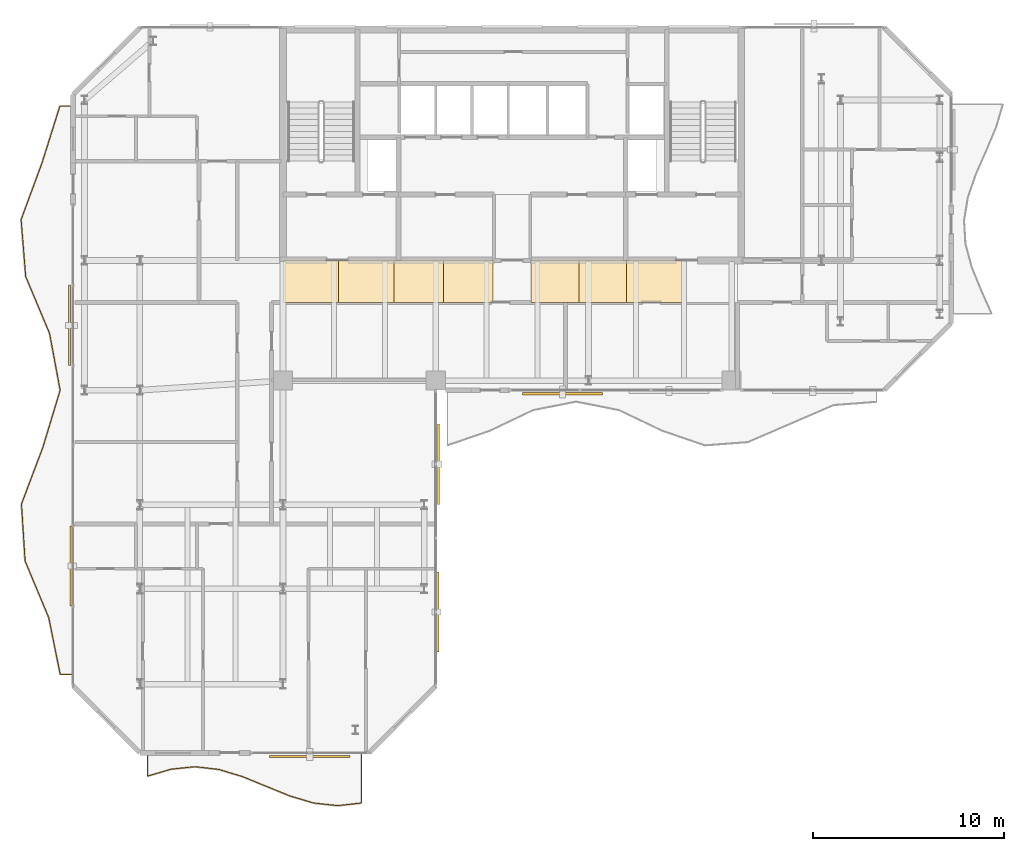
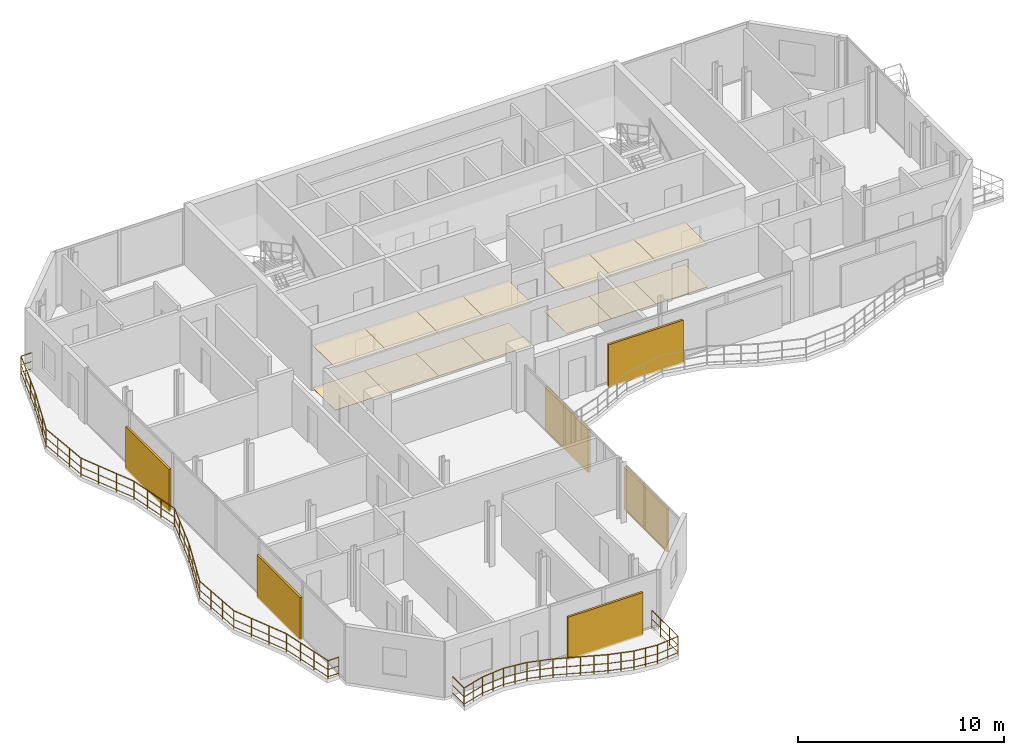
# One storey, part 21 of 23: 14 coverings, 6 shading devices, 2 railings.
"""IFC4 building model written with IfcOpenShell, lengths in metres."""

from ifc_helpers import new_model, si_unit, direction, frame, origin, origin_2d, place, context, subcontext, project, spatial, polyline, rectangle, circle, outline, extrude, material, layer, layer_set, type_object, element, save


model = new_model("IFC4")

# Units and contexts
model_context = context("Model", 3, precision=1e-05, world=origin(), true_north=direction((0.0, 1.0)))
body_context = subcontext(model_context, "Body", "Model", "MODEL_VIEW")
ifc_project = project(units=[si_unit("LENGTHUNIT", "METRE"), si_unit("AREAUNIT", "SQUARE_METRE"), si_unit("VOLUMEUNIT", "CUBIC_METRE"), si_unit("PLANEANGLEUNIT", "RADIAN"), si_unit("MASSUNIT", "GRAM", prefix="KILO")], contexts=[model_context])

# Site, building, storey
site_placement = place(None, origin())
site = spatial("IfcSite", under=ifc_project, at=site_placement, CompositionType="ELEMENT")
building_placement = place(site_placement, origin())
building = spatial("IfcBuilding", under=site, at=building_placement, Name="Catumbela Crestline Tower", CompositionType="ELEMENT")
storey_placement = place(building_placement, frame((0.0, 0.0, 201.0)))
storey = spatial("IfcBuildingStorey", under=building, at=storey_placement, Name="L52", CompositionType="ELEMENT", Elevation=201.0)

# Coverings
ifc_material_1 = material(Name="Mineral-fibre acoustic ceiling")
ifc_layer_1 = layer(ifc_material_1, 0.03, Name="Mineral-fibre acoustic ceiling")
ifc_layer_set_1 = layer_set([ifc_layer_1], Name="Mineral-fibre acoustic ceiling")
covering_type_1 = type_object("IfcCoveringType", Name="CC-AC", PredefinedType="CEILING", material=ifc_layer_set_1)
covering_1_placement = place(storey_placement, frame((0.0, 0.0, 2.52)))
element("IfcCovering", 1, at=covering_1_placement, inside=storey, type_object=covering_type_1, Name="L52 Corridor Acoustic Ceiling Bay 1", PredefinedType="CEILING", context=body_context, shape_type="SweptSolid", body=[
    extrude(outline(polyline([(16.0, 28.6), (18.9, 28.6), (18.9, 30.8), (16.0, 30.8), (16.0, 28.6)])), origin(), (0.0, 0.0, 1.0), 0.03),
])
covering_2_placement = place(storey_placement, frame((0.0, 0.0, 2.52)))
element("IfcCovering", 2, at=covering_2_placement, inside=storey, type_object=covering_type_1, Name="L52 Corridor Acoustic Ceiling Bay 2", PredefinedType="CEILING", context=body_context, shape_type="SweptSolid", body=[
    extrude(outline(polyline([(18.9, 28.6), (21.8, 28.6), (21.8, 30.8), (18.9, 30.8), (18.9, 28.6)])), origin(), (0.0, 0.0, 1.0), 0.03),
])
covering_3_placement = place(storey_placement, frame((0.0, 0.0, 2.52)))
element("IfcCovering", 3, at=covering_3_placement, inside=storey, type_object=covering_type_1, Name="L52 Corridor Acoustic Ceiling Bay 3", PredefinedType="CEILING", context=body_context, shape_type="SweptSolid", body=[
    extrude(outline(polyline([(21.8, 28.6), (24.4, 28.6), (24.4, 30.8), (21.8, 30.8), (21.8, 28.6)])), origin(), (0.0, 0.0, 1.0), 0.03),
])
covering_4_placement = place(storey_placement, frame((0.0, 0.0, 2.52)))
element("IfcCovering", 4, at=covering_4_placement, inside=storey, type_object=covering_type_1, Name="L52 Corridor Acoustic Ceiling Bay 4", PredefinedType="CEILING", context=body_context, shape_type="SweptSolid", body=[
    extrude(outline(polyline([(24.4, 28.6), (27.0, 28.6), (27.0, 30.8), (24.4, 30.8), (24.4, 28.6)])), origin(), (0.0, 0.0, 1.0), 0.03),
])
covering_5_placement = place(storey_placement, frame((0.0, 0.0, 2.52)))
element("IfcCovering", 5, at=covering_5_placement, inside=storey, type_object=covering_type_1, Name="L52 Corridor Acoustic Ceiling Bay 5", PredefinedType="CEILING", context=body_context, shape_type="SweptSolid", body=[
    extrude(outline(polyline([(29.0, 28.6), (31.5, 28.6), (31.5, 30.8), (29.0, 30.8), (29.0, 28.6)])), origin(), (0.0, 0.0, 1.0), 0.03),
])
covering_6_placement = place(storey_placement, frame((0.0, 0.0, 2.52)))
element("IfcCovering", 6, at=covering_6_placement, inside=storey, type_object=covering_type_1, Name="L52 Corridor Acoustic Ceiling Bay 6", PredefinedType="CEILING", context=body_context, shape_type="SweptSolid", body=[
    extrude(outline(polyline([(31.5, 28.6), (34.0, 28.6), (34.0, 30.8), (31.5, 30.8), (31.5, 28.6)])), origin(), (0.0, 0.0, 1.0), 0.03),
])
covering_7_placement = place(storey_placement, frame((0.0, 0.0, 2.52)))
element("IfcCovering", 7, at=covering_7_placement, inside=storey, type_object=covering_type_1, Name="L52 Corridor Acoustic Ceiling Bay 7", PredefinedType="CEILING", context=body_context, shape_type="SweptSolid", body=[
    extrude(outline(polyline([(34.0, 28.6), (36.9, 28.6), (36.9, 30.8), (34.0, 30.8), (34.0, 28.6)])), origin(), (0.0, 0.0, 1.0), 0.03),
])
ifc_material_2 = material(Name="Angolan grey-ochre granite", Category="masonry")
ifc_layer_2 = layer(ifc_material_2, 0.025, Name="Angolan grey-ochre granite")
ifc_layer_set_2 = layer_set([ifc_layer_2], Name="Angolan grey-ochre granite")
covering_type_2 = type_object("IfcCoveringType", Name="CF-GR", PredefinedType="FLOORING", material=ifc_layer_set_2)
covering_8_placement = place(storey_placement, origin())
element("IfcCovering", 8, at=covering_8_placement, inside=storey, type_object=covering_type_2, Name="L52 Corridor Granite Flooring Bay 1", PredefinedType="FLOORING", context=body_context, shape_type="SweptSolid", body=[
    extrude(outline(polyline([(16.0, 28.6), (18.9, 28.6), (18.9, 30.8), (16.0, 30.8), (16.0, 28.6)])), origin(), (0.0, 0.0, 1.0), 0.025),
])
covering_9_placement = place(storey_placement, origin())
element("IfcCovering", 9, at=covering_9_placement, inside=storey, type_object=covering_type_2, Name="L52 Corridor Granite Flooring Bay 2", PredefinedType="FLOORING", context=body_context, shape_type="SweptSolid", body=[
    extrude(outline(polyline([(18.9, 28.6), (21.8, 28.6), (21.8, 30.8), (18.9, 30.8), (18.9, 28.6)])), origin(), (0.0, 0.0, 1.0), 0.025),
])
covering_10_placement = place(storey_placement, origin())
element("IfcCovering", 10, at=covering_10_placement, inside=storey, type_object=covering_type_2, Name="L52 Corridor Granite Flooring Bay 3", PredefinedType="FLOORING", context=body_context, shape_type="SweptSolid", body=[
    extrude(outline(polyline([(21.8, 28.6), (24.4, 28.6), (24.4, 30.8), (21.8, 30.8), (21.8, 28.6)])), origin(), (0.0, 0.0, 1.0), 0.025),
])
covering_11_placement = place(storey_placement, origin())
element("IfcCovering", 11, at=covering_11_placement, inside=storey, type_object=covering_type_2, Name="L52 Corridor Granite Flooring Bay 4", PredefinedType="FLOORING", context=body_context, shape_type="SweptSolid", body=[
    extrude(outline(polyline([(24.4, 28.6), (27.0, 28.6), (27.0, 30.8), (24.4, 30.8), (24.4, 28.6)])), origin(), (0.0, 0.0, 1.0), 0.025),
])
covering_12_placement = place(storey_placement, origin())
element("IfcCovering", 12, at=covering_12_placement, inside=storey, type_object=covering_type_2, Name="L52 Corridor Granite Flooring Bay 5", PredefinedType="FLOORING", context=body_context, shape_type="SweptSolid", body=[
    extrude(outline(polyline([(29.0, 28.6), (31.5, 28.6), (31.5, 30.8), (29.0, 30.8), (29.0, 28.6)])), origin(), (0.0, 0.0, 1.0), 0.025),
])
covering_13_placement = place(storey_placement, origin())
element("IfcCovering", 13, at=covering_13_placement, inside=storey, type_object=covering_type_2, Name="L52 Corridor Granite Flooring Bay 6", PredefinedType="FLOORING", context=body_context, shape_type="SweptSolid", body=[
    extrude(outline(polyline([(31.5, 28.6), (34.0, 28.6), (34.0, 30.8), (31.5, 30.8), (31.5, 28.6)])), origin(), (0.0, 0.0, 1.0), 0.025),
])
covering_14_placement = place(storey_placement, origin())
element("IfcCovering", 14, at=covering_14_placement, inside=storey, type_object=covering_type_2, Name="L52 Corridor Granite Flooring Bay 7", PredefinedType="FLOORING", context=body_context, shape_type="SweptSolid", body=[
    extrude(outline(polyline([(34.0, 28.6), (36.9, 28.6), (36.9, 30.8), (34.0, 30.8), (34.0, 28.6)])), origin(), (0.0, 0.0, 1.0), 0.025),
])

# Railings
ifc_material_3 = material(Name="Stainless steel EN 1.4401", Category="steel")
railing_type = type_object("IfcRailingType", Name="RB-1100", PredefinedType="BALUSTRADE", material=ifc_material_3)
railing_1_placement = place(storey_placement, frame((8.9, 4.94, 0.0)))
element("IfcRailing", 15, at=railing_1_placement, inside=storey, type_object=railing_type, Name="L52 Private Wave Balcony Balustrade 3", PredefinedType="BALUSTRADE", context=body_context, shape_type="SweptSolid", body=[
    extrude(circle(Radius=0.024, at=origin_2d()), frame((0.0, 0.0, 1.076), z_axis=(0.0, -1.0, 0.0), x_axis=(1.0, 0.0, 0.0)), (0.0, 0.0, 1.0), 1.1526),
    extrude(circle(Radius=0.0156, at=origin_2d()), frame((0.0, 0.0, 0.55), z_axis=(0.0, -1.0, 0.0), x_axis=(1.0, 0.0, 0.0)), (0.0, 0.0, 1.0), 1.1526),
    extrude(circle(Radius=0.0156, at=origin_2d()), frame((0.0, 0.0, 0.12), z_axis=(0.0, -1.0, 0.0), x_axis=(1.0, 0.0, 0.0)), (0.0, 0.0, 1.0), 1.1526),
    extrude(circle(Radius=0.024, at=origin_2d()), frame((0.0, -1.1526, 1.076), z_axis=(0.959636438808, 0.281243498259, 0.0), x_axis=(-0.281243498259, 0.959636438808, 0.0)), (0.0, 0.0, 1.0), 1.2967),
    extrude(circle(Radius=0.0156, at=origin_2d()), frame((0.0, -1.1526, 0.55), z_axis=(0.959636438808, 0.281243498259, 0.0), x_axis=(-0.281243498259, 0.959636438808, 0.0)), (0.0, 0.0, 1.0), 1.2967),
    extrude(circle(Radius=0.0156, at=origin_2d()), frame((0.0, -1.1526, 0.12), z_axis=(0.959636438808, 0.281243498259, 0.0), x_axis=(-0.281243498259, 0.959636438808, 0.0)), (0.0, 0.0, 1.0), 1.2967),
    extrude(circle(Radius=0.024, at=origin_2d()), frame((1.2444, -0.7879, 1.076), z_axis=(0.99476853318, 0.102154615139, 0.0), x_axis=(-0.102154615139, 0.99476853318, 0.0)), (0.0, 0.0, 1.0), 1.251),
    extrude(circle(Radius=0.0156, at=origin_2d()), frame((1.2444, -0.7879, 0.55), z_axis=(0.99476853318, 0.102154615139, 0.0), x_axis=(-0.102154615139, 0.99476853318, 0.0)), (0.0, 0.0, 1.0), 1.251),
    extrude(circle(Radius=0.0156, at=origin_2d()), frame((1.2444, -0.7879, 0.12), z_axis=(0.99476853318, 0.102154615139, 0.0), x_axis=(-0.102154615139, 0.99476853318, 0.0)), (0.0, 0.0, 1.0), 1.251),
    extrude(circle(Radius=0.024, at=origin_2d()), frame((2.4889, -0.6601, 1.076), z_axis=(0.993452916822, -0.114242295401, 0.0), x_axis=(0.114242295401, 0.993452916822, 0.0)), (0.0, 0.0, 1.0), 1.2526),
    extrude(circle(Radius=0.0156, at=origin_2d()), frame((2.4889, -0.6601, 0.55), z_axis=(0.993452916822, -0.114242295401, 0.0), x_axis=(0.114242295401, 0.993452916822, 0.0)), (0.0, 0.0, 1.0), 1.2526),
    extrude(circle(Radius=0.0156, at=origin_2d()), frame((2.4889, -0.6601, 0.12), z_axis=(0.993452916822, -0.114242295401, 0.0), x_axis=(0.114242295401, 0.993452916822, 0.0)), (0.0, 0.0, 1.0), 1.2526),
    extrude(circle(Radius=0.024, at=origin_2d()), frame((3.7333, -0.8032, 1.076), z_axis=(0.95724214329, -0.289287882757, 0.0), x_axis=(0.289287882757, 0.95724214329, 0.0)), (0.0, 0.0, 1.0), 1.3001),
    extrude(circle(Radius=0.0156, at=origin_2d()), frame((3.7333, -0.8032, 0.55), z_axis=(0.95724214329, -0.289287882757, 0.0), x_axis=(0.289287882757, 0.95724214329, 0.0)), (0.0, 0.0, 1.0), 1.3001),
    extrude(circle(Radius=0.0156, at=origin_2d()), frame((3.7333, -0.8032, 0.12), z_axis=(0.95724214329, -0.289287882757, 0.0), x_axis=(0.289287882757, 0.95724214329, 0.0)), (0.0, 0.0, 1.0), 1.3001),
    extrude(circle(Radius=0.024, at=origin_2d()), frame((4.9778, -1.1793, 1.076), z_axis=(0.925565911687, -0.378586506789, 0.0), x_axis=(0.378586506789, 0.925565911687, 0.0)), (0.0, 0.0, 1.0), 1.3445),
    extrude(circle(Radius=0.0156, at=origin_2d()), frame((4.9778, -1.1793, 0.55), z_axis=(0.925565911687, -0.378586506789, 0.0), x_axis=(0.378586506789, 0.925565911687, 0.0)), (0.0, 0.0, 1.0), 1.3445),
    extrude(circle(Radius=0.0156, at=origin_2d()), frame((4.9778, -1.1793, 0.12), z_axis=(0.925565911687, -0.378586506789, 0.0), x_axis=(0.378586506789, 0.925565911687, 0.0)), (0.0, 0.0, 1.0), 1.3445),
    extrude(circle(Radius=0.024, at=origin_2d()), frame((6.2222, -1.6883, 1.076), z_axis=(0.926149170652, -0.377157412364, 0.0), x_axis=(0.377157412364, 0.926149170652, 0.0)), (0.0, 0.0, 1.0), 1.3437),
    extrude(circle(Radius=0.0156, at=origin_2d()), frame((6.2222, -1.6883, 0.55), z_axis=(0.926149170652, -0.377157412364, 0.0), x_axis=(0.377157412364, 0.926149170652, 0.0)), (0.0, 0.0, 1.0), 1.3437),
    extrude(circle(Radius=0.0156, at=origin_2d()), frame((6.2222, -1.6883, 0.12), z_axis=(0.926149170652, -0.377157412364, 0.0), x_axis=(0.377157412364, 0.926149170652, 0.0)), (0.0, 0.0, 1.0), 1.3437),
    extrude(circle(Radius=0.024, at=origin_2d()), frame((7.4667, -2.1951, 1.076), z_axis=(0.958527257268, -0.285000872058, 0.0), x_axis=(0.285000872058, 0.958527257268, 0.0)), (0.0, 0.0, 1.0), 1.2982),
    extrude(circle(Radius=0.0156, at=origin_2d()), frame((7.4667, -2.1951, 0.55), z_axis=(0.958527257268, -0.285000872058, 0.0), x_axis=(0.285000872058, 0.958527257268, 0.0)), (0.0, 0.0, 1.0), 1.2982),
    extrude(circle(Radius=0.0156, at=origin_2d()), frame((7.4667, -2.1951, 0.12), z_axis=(0.958527257268, -0.285000872058, 0.0), x_axis=(0.285000872058, 0.958527257268, 0.0)), (0.0, 0.0, 1.0), 1.2982),
    extrude(circle(Radius=0.024, at=origin_2d()), frame((8.7111, -2.5651, 1.076), z_axis=(0.994176321749, -0.107765677625, 0.0), x_axis=(0.107765677625, 0.994176321749, 0.0)), (0.0, 0.0, 1.0), 1.2518),
    extrude(circle(Radius=0.0156, at=origin_2d()), frame((8.7111, -2.5651, 0.55), z_axis=(0.994176321749, -0.107765677625, 0.0), x_axis=(0.107765677625, 0.994176321749, 0.0)), (0.0, 0.0, 1.0), 1.2518),
    extrude(circle(Radius=0.0156, at=origin_2d()), frame((8.7111, -2.5651, 0.12), z_axis=(0.994176321749, -0.107765677625, 0.0), x_axis=(0.107765677625, 0.994176321749, 0.0)), (0.0, 0.0, 1.0), 1.2518),
    extrude(circle(Radius=0.024, at=origin_2d()), frame((9.9556, -2.7, 1.076), z_axis=(0.994072231366, 0.108721657577, 0.0), x_axis=(-0.108721657577, 0.994072231366, 0.0)), (0.0, 0.0, 1.0), 1.2518),
    extrude(circle(Radius=0.0156, at=origin_2d()), frame((9.9556, -2.7, 0.55), z_axis=(0.994072231366, 0.108721657577, 0.0), x_axis=(-0.108721657577, 0.994072231366, 0.0)), (0.0, 0.0, 1.0), 1.2518),
    extrude(circle(Radius=0.0156, at=origin_2d()), frame((9.9556, -2.7, 0.12), z_axis=(0.994072231366, 0.108721657577, 0.0), x_axis=(-0.108721657577, 0.994072231366, 0.0)), (0.0, 0.0, 1.0), 1.2518),
    extrude(circle(Radius=0.024, at=origin_2d()), frame((11.2, -2.5639, 1.076), z_axis=(0.0, 1.0, 0.0), x_axis=(-1.0, 0.0, 0.0)), (0.0, 0.0, 1.0), 2.5639),
    extrude(circle(Radius=0.0156, at=origin_2d()), frame((11.2, -2.5639, 0.55), z_axis=(0.0, 1.0, 0.0), x_axis=(-1.0, 0.0, 0.0)), (0.0, 0.0, 1.0), 2.5639),
    extrude(circle(Radius=0.0156, at=origin_2d()), frame((11.2, -2.5639, 0.12), z_axis=(0.0, 1.0, 0.0), x_axis=(-1.0, 0.0, 0.0)), (0.0, 0.0, 1.0), 2.5639),
    extrude(circle(Radius=0.021, at=origin_2d()), origin(), (0.0, 0.0, 1.0), 1.052),
    extrude(circle(Radius=0.021, at=origin_2d()), frame((0.0, -1.1526, 0.0)), (0.0, 0.0, 1.0), 1.052),
    extrude(circle(Radius=0.021, at=origin_2d()), frame((0.6222, -0.9703, 0.0)), (0.0, 0.0, 1.0), 1.052),
    extrude(circle(Radius=0.021, at=origin_2d()), frame((1.2444, -0.7879, 0.0)), (0.0, 0.0, 1.0), 1.052),
    extrude(circle(Radius=0.021, at=origin_2d()), frame((1.8666, -0.724, 0.0)), (0.0, 0.0, 1.0), 1.052),
    extrude(circle(Radius=0.021, at=origin_2d()), frame((2.4889, -0.6601, 0.0)), (0.0, 0.0, 1.0), 1.052),
    extrude(circle(Radius=0.021, at=origin_2d()), frame((3.1111, -0.7317, 0.0)), (0.0, 0.0, 1.0), 1.052),
    extrude(circle(Radius=0.021, at=origin_2d()), frame((3.7333, -0.8032, 0.0)), (0.0, 0.0, 1.0), 1.052),
    extrude(circle(Radius=0.021, at=origin_2d()), frame((4.3556, -0.9913, 0.0)), (0.0, 0.0, 1.0), 1.052),
    extrude(circle(Radius=0.021, at=origin_2d()), frame((4.9778, -1.1793, 0.0)), (0.0, 0.0, 1.0), 1.052),
    extrude(circle(Radius=0.021, at=origin_2d()), frame((5.6, -1.4338, 0.0)), (0.0, 0.0, 1.0), 1.052),
    extrude(circle(Radius=0.021, at=origin_2d()), frame((6.2222, -1.6883, 0.0)), (0.0, 0.0, 1.0), 1.052),
    extrude(circle(Radius=0.021, at=origin_2d()), frame((6.8444, -1.9417, 0.0)), (0.0, 0.0, 1.0), 1.052),
    extrude(circle(Radius=0.021, at=origin_2d()), frame((7.4667, -2.1951, 0.0)), (0.0, 0.0, 1.0), 1.052),
    extrude(circle(Radius=0.021, at=origin_2d()), frame((8.0889, -2.3801, 0.0)), (0.0, 0.0, 1.0), 1.052),
    extrude(circle(Radius=0.021, at=origin_2d()), frame((8.7111, -2.5651, 0.0)), (0.0, 0.0, 1.0), 1.052),
    extrude(circle(Radius=0.021, at=origin_2d()), frame((9.3334, -2.6326, 0.0)), (0.0, 0.0, 1.0), 1.052),
    extrude(circle(Radius=0.021, at=origin_2d()), frame((9.9556, -2.7, 0.0)), (0.0, 0.0, 1.0), 1.052),
    extrude(circle(Radius=0.021, at=origin_2d()), frame((10.5778, -2.632, 0.0)), (0.0, 0.0, 1.0), 1.052),
    extrude(circle(Radius=0.021, at=origin_2d()), frame((11.2, -2.5639, 0.0)), (0.0, 0.0, 1.0), 1.052),
    extrude(circle(Radius=0.021, at=origin_2d()), frame((11.2, -1.7093, 0.0)), (0.0, 0.0, 1.0), 1.052),
    extrude(circle(Radius=0.021, at=origin_2d()), frame((11.2, -0.8546, 0.0)), (0.0, 0.0, 1.0), 1.052),
    extrude(circle(Radius=0.021, at=origin_2d()), frame((11.2, 0.0, 0.0)), (0.0, 0.0, 1.0), 1.052),
])
railing_2_placement = place(storey_placement, frame((4.94, 38.9, 0.0)))
element("IfcRailing", 16, at=railing_2_placement, inside=storey, type_object=railing_type, Name="L52 Private Wave Balcony Balustrade 4", PredefinedType="BALUSTRADE", context=body_context, shape_type="SweptSolid", body=[
    extrude(circle(Radius=0.024, at=origin_2d()), frame((0.0, 0.0, 1.076), z_axis=(-1.0, 0.0, 0.0), x_axis=(0.0, -1.0, 0.0)), (0.0, 0.0, 1.0), 0.624),
    extrude(circle(Radius=0.0156, at=origin_2d()), frame((0.0, 0.0, 0.55), z_axis=(-1.0, 0.0, 0.0), x_axis=(0.0, -1.0, 0.0)), (0.0, 0.0, 1.0), 0.624),
    extrude(circle(Radius=0.0156, at=origin_2d()), frame((0.0, 0.0, 0.12), z_axis=(-1.0, 0.0, 0.0), x_axis=(0.0, -1.0, 0.0)), (0.0, 0.0, 1.0), 0.624),
    extrude(circle(Radius=0.024, at=origin_2d()), frame((-0.624, 0.0, 1.076), z_axis=(-0.299660095315, -0.954046029956, 0.0), x_axis=(0.954046029956, -0.299660095315, 0.0)), (0.0, 0.0, 1.0), 3.1235),
    extrude(circle(Radius=0.0156, at=origin_2d()), frame((-0.624, 0.0, 0.55), z_axis=(-0.299660095315, -0.954046029956, 0.0), x_axis=(0.954046029956, -0.299660095315, 0.0)), (0.0, 0.0, 1.0), 3.1235),
    extrude(circle(Radius=0.0156, at=origin_2d()), frame((-0.624, 0.0, 0.12), z_axis=(-0.299660095315, -0.954046029956, 0.0), x_axis=(0.954046029956, -0.299660095315, 0.0)), (0.0, 0.0, 1.0), 3.1235),
    extrude(circle(Radius=0.024, at=origin_2d()), frame((-1.56, -2.98, 1.076), z_axis=(-0.346261132373, -0.938138171171, 0.0), x_axis=(0.938138171171, -0.346261132373, 0.0)), (0.0, 0.0, 1.0), 3.1765),
    extrude(circle(Radius=0.0156, at=origin_2d()), frame((-1.56, -2.98, 0.55), z_axis=(-0.346261132373, -0.938138171171, 0.0), x_axis=(0.938138171171, -0.346261132373, 0.0)), (0.0, 0.0, 1.0), 3.1765),
    extrude(circle(Radius=0.0156, at=origin_2d()), frame((-1.56, -2.98, 0.12), z_axis=(-0.346261132373, -0.938138171171, 0.0), x_axis=(0.938138171171, -0.346261132373, 0.0)), (0.0, 0.0, 1.0), 3.1765),
    extrude(circle(Radius=0.024, at=origin_2d()), frame((-2.6599, -5.96, 1.076), z_axis=(0.079844933458, -0.996807296623, 0.0), x_axis=(0.996807296623, 0.079844933458, 0.0)), (0.0, 0.0, 1.0), 2.9895),
    extrude(circle(Radius=0.0156, at=origin_2d()), frame((-2.6599, -5.96, 0.55), z_axis=(0.079844933458, -0.996807296623, 0.0), x_axis=(0.996807296623, 0.079844933458, 0.0)), (0.0, 0.0, 1.0), 2.9895),
    extrude(circle(Radius=0.0156, at=origin_2d()), frame((-2.6599, -5.96, 0.12), z_axis=(0.079844933458, -0.996807296623, 0.0), x_axis=(0.996807296623, 0.079844933458, 0.0)), (0.0, 0.0, 1.0), 2.9895),
    extrude(circle(Radius=0.024, at=origin_2d()), frame((-2.4212, -8.94, 1.076), z_axis=(0.387127277892, -0.922026285261, 0.0), x_axis=(0.922026285261, 0.387127277892, 0.0)), (0.0, 0.0, 1.0), 3.232),
    extrude(circle(Radius=0.0156, at=origin_2d()), frame((-2.4212, -8.94, 0.55), z_axis=(0.387127277892, -0.922026285261, 0.0), x_axis=(0.922026285261, 0.387127277892, 0.0)), (0.0, 0.0, 1.0), 3.232),
    extrude(circle(Radius=0.0156, at=origin_2d()), frame((-2.4212, -8.94, 0.12), z_axis=(0.387127277892, -0.922026285261, 0.0), x_axis=(0.922026285261, 0.387127277892, 0.0)), (0.0, 0.0, 1.0), 3.232),
    extrude(circle(Radius=0.024, at=origin_2d()), frame((-1.17, -11.92, 1.076), z_axis=(0.182965757166, -0.98311928661, 0.0), x_axis=(0.98311928661, 0.182965757166, 0.0)), (0.0, 0.0, 1.0), 3.0312),
    extrude(circle(Radius=0.0156, at=origin_2d()), frame((-1.17, -11.92, 0.55), z_axis=(0.182965757166, -0.98311928661, 0.0), x_axis=(0.98311928661, 0.182965757166, 0.0)), (0.0, 0.0, 1.0), 3.0312),
    extrude(circle(Radius=0.0156, at=origin_2d()), frame((-1.17, -11.92, 0.12), z_axis=(0.182965757166, -0.98311928661, 0.0), x_axis=(0.98311928661, 0.182965757166, 0.0)), (0.0, 0.0, 1.0), 3.0312),
    extrude(circle(Radius=0.024, at=origin_2d()), frame((-0.6154, -14.9, 1.076), z_axis=(-0.28905680833, -0.957311945793, 0.0), x_axis=(0.957311945793, -0.28905680833, 0.0)), (0.0, 0.0, 1.0), 3.1129),
    extrude(circle(Radius=0.0156, at=origin_2d()), frame((-0.6154, -14.9, 0.55), z_axis=(-0.28905680833, -0.957311945793, 0.0), x_axis=(0.957311945793, -0.28905680833, 0.0)), (0.0, 0.0, 1.0), 3.1129),
    extrude(circle(Radius=0.0156, at=origin_2d()), frame((-0.6154, -14.9, 0.12), z_axis=(-0.28905680833, -0.957311945793, 0.0), x_axis=(0.957311945793, -0.28905680833, 0.0)), (0.0, 0.0, 1.0), 3.1129),
    extrude(circle(Radius=0.024, at=origin_2d()), frame((-1.5152, -17.88, 1.076), z_axis=(-0.35315939818, -0.935563167016, 0.0), x_axis=(0.935563167016, -0.35315939818, 0.0)), (0.0, 0.0, 1.0), 3.1852),
    extrude(circle(Radius=0.0156, at=origin_2d()), frame((-1.5152, -17.88, 0.55), z_axis=(-0.35315939818, -0.935563167016, 0.0), x_axis=(0.935563167016, -0.35315939818, 0.0)), (0.0, 0.0, 1.0), 3.1852),
    extrude(circle(Radius=0.0156, at=origin_2d()), frame((-1.5152, -17.88, 0.12), z_axis=(-0.35315939818, -0.935563167016, 0.0), x_axis=(0.935563167016, -0.35315939818, 0.0)), (0.0, 0.0, 1.0), 3.1852),
    extrude(circle(Radius=0.024, at=origin_2d()), frame((-2.6401, -20.86, 1.076), z_axis=(0.062495049702, -0.998045273904, 0.0), x_axis=(0.998045273904, 0.062495049702, 0.0)), (0.0, 0.0, 1.0), 2.9858),
    extrude(circle(Radius=0.0156, at=origin_2d()), frame((-2.6401, -20.86, 0.55), z_axis=(0.062495049702, -0.998045273904, 0.0), x_axis=(0.998045273904, 0.062495049702, 0.0)), (0.0, 0.0, 1.0), 2.9858),
    extrude(circle(Radius=0.0156, at=origin_2d()), frame((-2.6401, -20.86, 0.12), z_axis=(0.062495049702, -0.998045273904, 0.0), x_axis=(0.998045273904, 0.062495049702, 0.0)), (0.0, 0.0, 1.0), 2.9858),
    extrude(circle(Radius=0.024, at=origin_2d()), frame((-2.4535, -23.84, 1.076), z_axis=(0.385019974445, -0.922908239902, 0.0), x_axis=(0.922908239902, 0.385019974445, 0.0)), (0.0, 0.0, 1.0), 3.2289),
    extrude(circle(Radius=0.0156, at=origin_2d()), frame((-2.4535, -23.84, 0.55), z_axis=(0.385019974445, -0.922908239902, 0.0), x_axis=(0.922908239902, 0.385019974445, 0.0)), (0.0, 0.0, 1.0), 3.2289),
    extrude(circle(Radius=0.0156, at=origin_2d()), frame((-2.4535, -23.84, 0.12), z_axis=(0.385019974445, -0.922908239902, 0.0), x_axis=(0.922908239902, 0.385019974445, 0.0)), (0.0, 0.0, 1.0), 3.2289),
    extrude(circle(Radius=0.024, at=origin_2d()), frame((-1.2103, -26.82, 1.076), z_axis=(0.197855395361, -0.98023121891, 0.0), x_axis=(0.98023121891, 0.197855395361, 0.0)), (0.0, 0.0, 1.0), 3.0401),
    extrude(circle(Radius=0.0156, at=origin_2d()), frame((-1.2103, -26.82, 0.55), z_axis=(0.197855395361, -0.98023121891, 0.0), x_axis=(0.98023121891, 0.197855395361, 0.0)), (0.0, 0.0, 1.0), 3.0401),
    extrude(circle(Radius=0.0156, at=origin_2d()), frame((-1.2103, -26.82, 0.12), z_axis=(0.197855395361, -0.98023121891, 0.0), x_axis=(0.98023121891, 0.197855395361, 0.0)), (0.0, 0.0, 1.0), 3.0401),
    extrude(circle(Radius=0.024, at=origin_2d()), frame((-0.6088, -29.8, 1.076), z_axis=(1.0, 0.0, 0.0), x_axis=(0.0, 1.0, 0.0)), (0.0, 0.0, 1.0), 0.6088),
    extrude(circle(Radius=0.0156, at=origin_2d()), frame((-0.6088, -29.8, 0.55), z_axis=(1.0, 0.0, 0.0), x_axis=(0.0, 1.0, 0.0)), (0.0, 0.0, 1.0), 0.6088),
    extrude(circle(Radius=0.0156, at=origin_2d()), frame((-0.6088, -29.8, 0.12), z_axis=(1.0, 0.0, 0.0), x_axis=(0.0, 1.0, 0.0)), (0.0, 0.0, 1.0), 0.6088),
    extrude(circle(Radius=0.021, at=origin_2d()), origin(), (0.0, 0.0, 1.0), 1.052),
    extrude(circle(Radius=0.021, at=origin_2d()), frame((-0.624, 0.0, 0.0)), (0.0, 0.0, 1.0), 1.052),
    extrude(circle(Radius=0.021, at=origin_2d()), frame((-0.936, -0.9933, 0.0)), (0.0, 0.0, 1.0), 1.052),
    extrude(circle(Radius=0.021, at=origin_2d()), frame((-1.248, -1.9867, 0.0)), (0.0, 0.0, 1.0), 1.052),
    extrude(circle(Radius=0.021, at=origin_2d()), frame((-1.56, -2.98, 0.0)), (0.0, 0.0, 1.0), 1.052),
    extrude(circle(Radius=0.021, at=origin_2d()), frame((-1.9266, -3.9733, 0.0)), (0.0, 0.0, 1.0), 1.052),
    extrude(circle(Radius=0.021, at=origin_2d()), frame((-2.2933, -4.9667, 0.0)), (0.0, 0.0, 1.0), 1.052),
    extrude(circle(Radius=0.021, at=origin_2d()), frame((-2.6599, -5.96, 0.0)), (0.0, 0.0, 1.0), 1.052),
    extrude(circle(Radius=0.021, at=origin_2d()), frame((-2.5803, -6.9533, 0.0)), (0.0, 0.0, 1.0), 1.052),
    extrude(circle(Radius=0.021, at=origin_2d()), frame((-2.5008, -7.9467, 0.0)), (0.0, 0.0, 1.0), 1.052),
    extrude(circle(Radius=0.021, at=origin_2d()), frame((-2.4212, -8.94, 0.0)), (0.0, 0.0, 1.0), 1.052),
    extrude(circle(Radius=0.021, at=origin_2d()), frame((-2.0041, -9.9333, 0.0)), (0.0, 0.0, 1.0), 1.052),
    extrude(circle(Radius=0.021, at=origin_2d()), frame((-1.5871, -10.9267, 0.0)), (0.0, 0.0, 1.0), 1.052),
    extrude(circle(Radius=0.021, at=origin_2d()), frame((-1.17, -11.92, 0.0)), (0.0, 0.0, 1.0), 1.052),
    extrude(circle(Radius=0.021, at=origin_2d()), frame((-0.9851, -12.9133, 0.0)), (0.0, 0.0, 1.0), 1.052),
    extrude(circle(Radius=0.021, at=origin_2d()), frame((-0.8003, -13.9067, 0.0)), (0.0, 0.0, 1.0), 1.052),
    extrude(circle(Radius=0.021, at=origin_2d()), frame((-0.6154, -14.9, 0.0)), (0.0, 0.0, 1.0), 1.052),
    extrude(circle(Radius=0.021, at=origin_2d()), frame((-0.9153, -15.8933, 0.0)), (0.0, 0.0, 1.0), 1.052),
    extrude(circle(Radius=0.021, at=origin_2d()), frame((-1.2153, -16.8867, 0.0)), (0.0, 0.0, 1.0), 1.052),
    extrude(circle(Radius=0.021, at=origin_2d()), frame((-1.5152, -17.88, 0.0)), (0.0, 0.0, 1.0), 1.052),
    extrude(circle(Radius=0.021, at=origin_2d()), frame((-1.8902, -18.8733, 0.0)), (0.0, 0.0, 1.0), 1.052),
    extrude(circle(Radius=0.021, at=origin_2d()), frame((-2.2651, -19.8667, 0.0)), (0.0, 0.0, 1.0), 1.052),
    extrude(circle(Radius=0.021, at=origin_2d()), frame((-2.6401, -20.86, 0.0)), (0.0, 0.0, 1.0), 1.052),
    extrude(circle(Radius=0.021, at=origin_2d()), frame((-2.5779, -21.8533, 0.0)), (0.0, 0.0, 1.0), 1.052),
    extrude(circle(Radius=0.021, at=origin_2d()), frame((-2.5157, -22.8467, 0.0)), (0.0, 0.0, 1.0), 1.052),
    extrude(circle(Radius=0.021, at=origin_2d()), frame((-2.4535, -23.84, 0.0)), (0.0, 0.0, 1.0), 1.052),
    extrude(circle(Radius=0.021, at=origin_2d()), frame((-2.0391, -24.8333, 0.0)), (0.0, 0.0, 1.0), 1.052),
    extrude(circle(Radius=0.021, at=origin_2d()), frame((-1.6247, -25.8267, 0.0)), (0.0, 0.0, 1.0), 1.052),
    extrude(circle(Radius=0.021, at=origin_2d()), frame((-1.2103, -26.82, 0.0)), (0.0, 0.0, 1.0), 1.052),
    extrude(circle(Radius=0.021, at=origin_2d()), frame((-1.0098, -27.8133, 0.0)), (0.0, 0.0, 1.0), 1.052),
    extrude(circle(Radius=0.021, at=origin_2d()), frame((-0.8093, -28.8067, 0.0)), (0.0, 0.0, 1.0), 1.052),
    extrude(circle(Radius=0.021, at=origin_2d()), frame((-0.6088, -29.8, 0.0)), (0.0, 0.0, 1.0), 1.052),
    extrude(circle(Radius=0.021, at=origin_2d()), frame((0.0, -29.8, 0.0)), (0.0, 0.0, 1.0), 1.052),
])

# Shading devices
ifc_material_4 = material(Name="Extruded terracotta ceramic", Category="masonry")
shading_device_type_1 = type_object("IfcShadingDeviceType", Name="ST-180", PredefinedType="USERDEFINED", material=ifc_material_4)
shading_device_1_placement = place(storey_placement, frame((24.099, 12.375, -0.1), z_axis=(0.0, 0.0, 1.0), x_axis=(0.0, 1.0, 0.0)))
element("IfcShadingDevice", 17, at=shading_device_1_placement, inside=storey, type_object=shading_device_type_1, Name="L52 Perforated Terracotta Solar Screen 625 (180 mm)", ObjectType="SCREEN", PredefinedType="USERDEFINED", context=body_context, shape_type="SweptSolid", body=[
    extrude(rectangle(XDim=4.2, YDim=0.12, at=origin_2d()), origin(), (0.0, 0.0, 1.0), 2.54),
])
shading_device_2_placement = place(storey_placement, frame((4.901, 14.8, -0.1), z_axis=(0.0, 0.0, 1.0), x_axis=(0.0, -1.0, 0.0)))
element("IfcShadingDevice", 18, at=shading_device_2_placement, inside=storey, type_object=shading_device_type_1, Name="L52 Perforated Terracotta Solar Screen 634 (180 mm)", ObjectType="SCREEN", PredefinedType="USERDEFINED", context=body_context, shape_type="SweptSolid", body=[
    extrude(rectangle(XDim=4.2, YDim=0.12, at=origin_2d()), origin(), (0.0, 0.0, 1.0), 2.55),
])
shading_device_type_2 = type_object("IfcShadingDeviceType", Name="ST-260", PredefinedType="USERDEFINED", material=ifc_material_4)
shading_device_3_placement = place(storey_placement, frame((24.143, 20.125, -0.1), z_axis=(0.0, 0.0, 1.0), x_axis=(0.0, 1.0, 0.0)))
element("IfcShadingDevice", 19, at=shading_device_3_placement, inside=storey, type_object=shading_device_type_2, Name="L52 Perforated Terracotta Solar Screen 626 (260 mm)", ObjectType="SCREEN", PredefinedType="USERDEFINED", context=body_context, shape_type="SweptSolid", body=[
    extrude(rectangle(XDim=4.2, YDim=0.12, at=origin_2d()), origin(), (0.0, 0.0, 1.0), 2.54),
])
shading_device_type_3 = type_object("IfcShadingDeviceType", Name="ST-340", PredefinedType="USERDEFINED", material=ifc_material_4)
for number, where, z_axis, x_axis, name in (
    (20, (17.4, 4.813, -0.1), (0.0, 0.0, 1.0), (1.0, 0.0, 0.0), "L52 Perforated Terracotta Solar Screen 624 (340 mm)"),
    (21, (30.6375, 23.813, -0.1), (0.0, 0.0, 1.0), (1.0, 0.0, 0.0), "L52 Perforated Terracotta Solar Screen 627 (340 mm)"),
    (22, (4.813, 27.4, -0.1), (0.0, 0.0, 1.0), (0.0, -1.0, 0.0), "L52 Perforated Terracotta Solar Screen 633 (340 mm)"),
):
    element("IfcShadingDevice", number, at=place(storey_placement, frame(where, z_axis=z_axis, x_axis=x_axis)), inside=storey, type_object=shading_device_type_3, Name=name, ObjectType="SCREEN", PredefinedType="USERDEFINED", context=body_context, shape_type="SweptSolid", body=[
        extrude(rectangle(XDim=4.2, YDim=0.12, at=origin_2d()), origin(), (0.0, 0.0, 1.0), 2.55),
    ])

save(model, "model.ifc")
